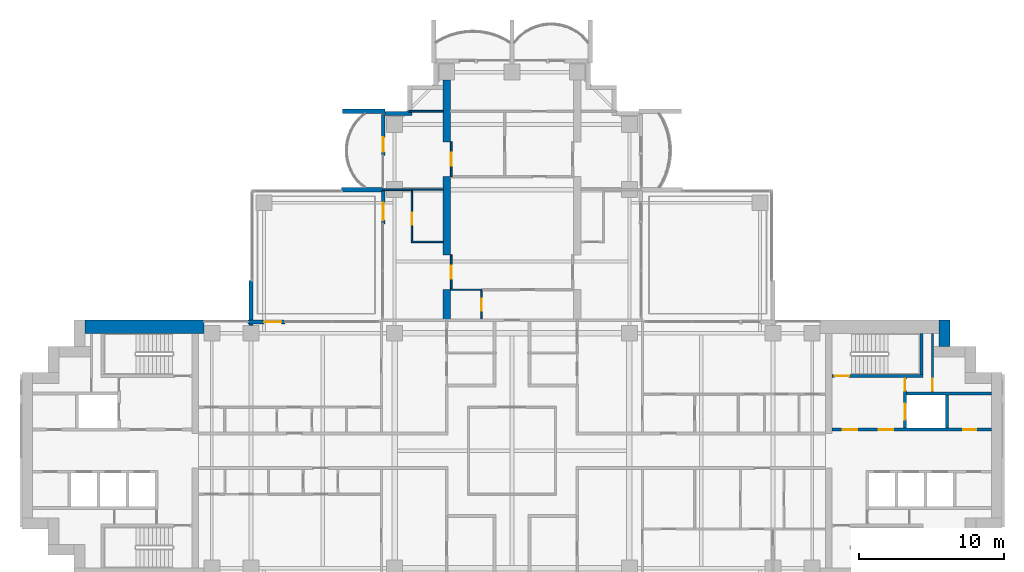
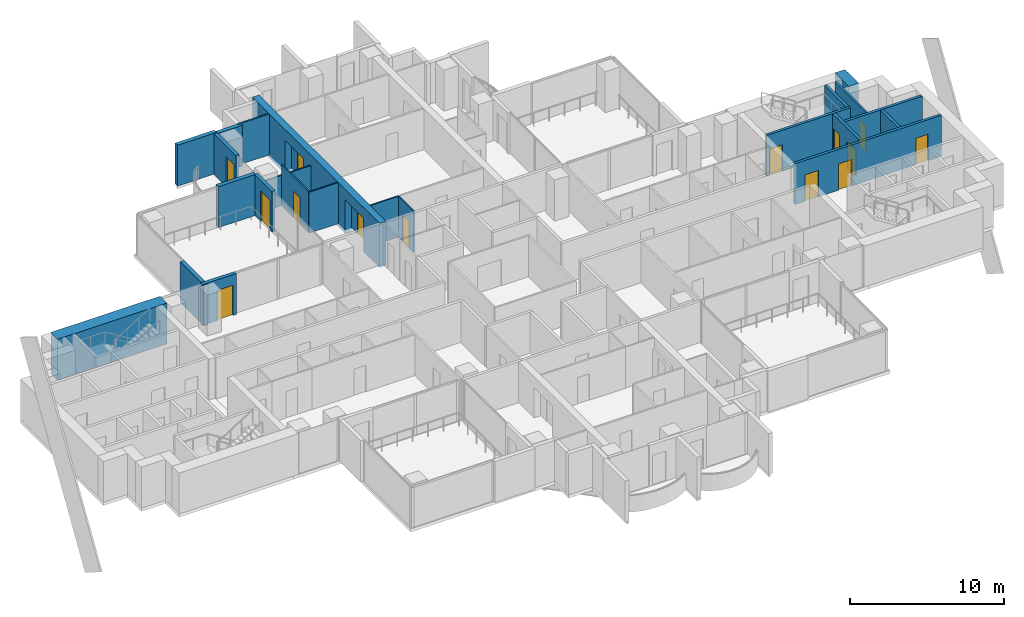
# One storey, part 13 of 19: 26 walls, 14 doors, 14 openings.
"""IFC4 building model written with IfcOpenShell, lengths in metres."""

import ifcopenshell
import ifcopenshell.guid

model = None  # the IFC model being written
_history = None  # IfcOwnerHistory: only IFC2X3 demands one
_inside = {}  # id of a spatial element -> (the spatial element, [elements in it])
_under = {}  # id of a project, library or spatial element -> (it, [spatial elements below it])
_declared = {}  # id of a project -> (the project, [libraries it declares])
_typed = {}  # id of a type object -> (the type object, [elements of that type])
_made_of = {}  # id of a material, layer set ... -> (it, [elements and type objects made of it])


def new_model(schema):
    """Start an empty IFC model of exactly this schema.

    Asked for "IFC4X3", IfcOpenShell would pick the latest addendum, in which some entities
    have other attributes; the version numbers below select the first issue.
    IFC2X3 requires an IfcOwnerHistory on every rooted entity: one is made here for all.
    """
    global model, _history
    if schema == "IFC4X3":
        model = ifcopenshell.file(schema_version=(4, 3, 0, 0))
    else:
        model = ifcopenshell.file(schema=schema)
    _inside.clear()
    _under.clear()
    _declared.clear()
    _typed.clear()
    _made_of.clear()
    _history = None
    if model.schema == "IFC2X3":
        org = make("IfcOrganization", Name="unknown")
        user = make(
            "IfcPersonAndOrganization",
            ThePerson=make("IfcPerson", FamilyName="unknown"),
            TheOrganization=org,
        )
        app = make(
            "IfcApplication",
            ApplicationDeveloper=org,
            Version="unknown",
            ApplicationFullName="unknown",
            ApplicationIdentifier="unknown",
        )
        _history = make(
            "IfcOwnerHistory",
            OwningUser=user,
            OwningApplication=app,
            ChangeAction="ADDED",
            CreationDate=0,
        )
    return model


def make(cls, **values):
    """One entity of the class cls with the attributes given. An attribute that is None is left unset."""
    return model.create_entity(
        cls, **{name: value for name, value in values.items() if value is not None}
    )


def rooted(cls, **values):
    """An entity with a GlobalId (a new one), such as an element, a storey or a relation."""
    return make(cls, GlobalId=ifcopenshell.guid.new(), OwnerHistory=_history, **values)


def si_unit(unit_type, name, prefix=None):
    """IfcSIUnit, for example si_unit("LENGTHUNIT", "METRE", prefix="MILLI")."""
    return make("IfcSIUnit", UnitType=unit_type, Prefix=prefix, Name=name)


def assignment(units):
    """IfcUnitAssignment: the units of a project."""
    return None if units is None else make("IfcUnitAssignment", Units=units)


def point(xyz):
    """IfcCartesianPoint."""
    return None if xyz is None else make("IfcCartesianPoint", Coordinates=xyz)


def direction(xyz):
    """IfcDirection."""
    return None if xyz is None else make("IfcDirection", DirectionRatios=xyz)


def frame(location, z_axis=None, x_axis=None):
    """IfcAxis2Placement3D, a coordinate frame: its origin and axes. An axis left out is left unset."""
    return make(
        "IfcAxis2Placement3D",
        Location=point(location),
        Axis=direction(z_axis),
        RefDirection=direction(x_axis),
    )


def frame_2d(location, x_axis=None):
    """IfcAxis2Placement2D, a coordinate frame in the plane: its origin and x axis."""
    return make(
        "IfcAxis2Placement2D", Location=point(location), RefDirection=direction(x_axis)
    )


def origin():
    """The frame at (0, 0, 0) with its axes left unset."""
    return frame((0.0, 0.0, 0.0))


def place(relative_to, where):
    """IfcLocalPlacement: puts the frame where relative to a parent placement (None: the world)."""
    return make(
        "IfcLocalPlacement", PlacementRelTo=relative_to, RelativePlacement=where
    )


def context(
    kind, dimensions, precision=None, world=None, true_north=None, identifier=None
):
    """IfcGeometricRepresentationContext, for example the 3D "Model" context."""
    return make(
        "IfcGeometricRepresentationContext",
        ContextIdentifier=identifier,
        ContextType=kind,
        CoordinateSpaceDimension=dimensions,
        Precision=precision,
        WorldCoordinateSystem=world,
        TrueNorth=true_north,
    )


def subcontext(parent, identifier, kind, view, scale=None):
    """IfcGeometricRepresentationSubContext, for example "Body" below "Model"."""
    return make(
        "IfcGeometricRepresentationSubContext",
        ContextIdentifier=identifier,
        ContextType=kind,
        ParentContext=parent,
        TargetScale=scale,
        TargetView=view,
    )


def project(units=None, contexts=None):
    """IfcProject with its units and contexts."""
    return rooted(
        "IfcProject",
        Name="project",
        RepresentationContexts=contexts,
        UnitsInContext=assignment(units),
    )


def spatial(cls, under=None, at=None, **own):
    """A site, building, storey or space (cls), placed at a placement, below another one or the project."""
    s = rooted(cls, ObjectPlacement=at, **own)
    if under is not None:
        _under.setdefault(under.id(), (under, []))[1].append(s)
    return s


def polyline(points):
    """IfcPolyline through the points."""
    return make("IfcPolyline", Points=[point(p) for p in points])


def profile(cls, at=None, kind="AREA", **sizes):
    """A parametric profile (cls). Its sizes go by their IFC names, for example OverallWidth=200.0."""
    return make(cls, ProfileType=kind, Position=at, **sizes)


def rectangle(**sizes):
    """IfcRectangleProfileDef."""
    return profile("IfcRectangleProfileDef", **sizes)


def outline(outer, holes=None, kind="AREA"):
    """IfcArbitraryClosedProfileDef: a profile drawn as a closed curve; with holes, ...WithVoids."""
    if holes is None:
        return make("IfcArbitraryClosedProfileDef", ProfileType=kind, OuterCurve=outer)
    return make(
        "IfcArbitraryProfileDefWithVoids",
        ProfileType=kind,
        OuterCurve=outer,
        InnerCurves=holes,
    )


def extrude(swept, where, along, depth):
    """IfcExtrudedAreaSolid: the profile swept, set in the frame where, extruded along a direction by depth."""
    return make(
        "IfcExtrudedAreaSolid",
        SweptArea=swept,
        Position=where,
        ExtrudedDirection=direction(along),
        Depth=depth,
    )


def shape(context_of_items, identifier, shape_type, items):
    """IfcShapeRepresentation: the items that make up one representation, for example the "Body"."""
    return make(
        "IfcShapeRepresentation",
        ContextOfItems=context_of_items,
        RepresentationIdentifier=identifier,
        RepresentationType=shape_type,
        Items=items,
    )


def material(Name=None, Category=None):
    """IfcMaterial."""
    return make("IfcMaterial", Name=Name, Category=Category)


def layer(
    of_material, thickness, ventilated=None, Name=None, Category=None, Priority=None
):
    """IfcMaterialLayer: one layer of a wall or slab, of a material (None: an air gap)."""
    return make(
        "IfcMaterialLayer",
        Material=of_material,
        LayerThickness=thickness,
        IsVentilated=ventilated,
        Name=Name,
        Category=Category,
        Priority=Priority,
    )


def layer_set(layers, Name=None):
    """IfcMaterialLayerSet."""
    return make("IfcMaterialLayerSet", MaterialLayers=layers, LayerSetName=Name)


def material_profile(
    of_material, cross_section, Name=None, Category=None, Priority=None
):
    """IfcMaterialProfile: a cross section and its material."""
    return make(
        "IfcMaterialProfile",
        Name=Name,
        Material=of_material,
        Profile=cross_section,
        Priority=Priority,
        Category=Category,
    )


def profile_set(profiles, Name=None, composite=None):
    """IfcMaterialProfileSet."""
    return make(
        "IfcMaterialProfileSet",
        Name=Name,
        MaterialProfiles=profiles,
        CompositeProfile=composite,
    )


def made_of(thing, what):
    """Note that an element or type object is made of a material, layer set ...; save() writes the relation."""
    if what is not None:
        _made_of.setdefault(what.id(), (what, []))[1].append(thing)
    return thing


def type_object(cls, material=None, **own):
    """A type object (cls), such as IfcWallType, which elements share."""
    return made_of(rooted(cls, **own), material)


def element(
    cls,
    number,
    at=None,
    inside=None,
    cuts=None,
    type_object=None,
    material=None,
    context=None,
    identifier="Body",
    shape_type=None,
    held_by="IfcProductDefinitionShape",
    body=None,
    shapes=None,
    **own,
):
    """One element of the class cls, such as IfcWall. Its Tag is "e" and its number.

    at: its placement. inside: the storey or other place that contains it. cuts: it is an
    opening in that element (IfcRelVoidsElement). A single representation is given by context,
    identifier, shape_type and body (its items); several are given by shapes. held_by: the class
    of the entity that holds the representations. save() writes the other relations.
    """
    e = rooted(cls, Tag="e%d" % number, ObjectPlacement=at, **own)
    if body is not None:
        shapes = [shape(context, identifier, shape_type, body)]
    if shapes is not None:
        e.Representation = make(held_by, Representations=shapes)
    if inside is not None:
        _inside.setdefault(inside.id(), (inside, []))[1].append(e)
    if cuts is not None:
        rooted(
            "IfcRelVoidsElement", RelatingBuildingElement=cuts, RelatedOpeningElement=e
        )
    if type_object is not None:
        _typed.setdefault(type_object.id(), (type_object, []))[1].append(e)
    return made_of(e, material)


def fill(opening, filler):
    """IfcRelFillsElement: the door or window that sits in an opening."""
    return rooted(
        "IfcRelFillsElement",
        RelatingOpeningElement=opening,
        RelatedBuildingElement=filler,
    )


def aggregate(whole, parts):
    """IfcRelAggregates: a whole, such as a stair, and the parts it consists of."""
    return rooted("IfcRelAggregates", RelatingObject=whole, RelatedObjects=parts)


def save(model, path):
    """Write the relations noted so far, then the file.

    IfcRelAggregates (storeys below a building ...), IfcRelContainedInSpatialStructure (elements
    in a storey), IfcRelDefinesByType, IfcRelAssociatesMaterial and IfcRelDeclares: one each for
    every whole, place, type object, material and project.
    """
    for whole, parts in _under.values():
        aggregate(whole, parts)
    for where, things in _inside.values():
        rooted(
            "IfcRelContainedInSpatialStructure",
            RelatedElements=things,
            RelatingStructure=where,
        )
    for kind, things in _typed.values():
        rooted("IfcRelDefinesByType", RelatedObjects=things, RelatingType=kind)
    for what, things in _made_of.values():
        rooted("IfcRelAssociatesMaterial", RelatedObjects=things, RelatingMaterial=what)
    for by, libraries in _declared.values():
        rooted("IfcRelDeclares", RelatingContext=by, RelatedDefinitions=libraries)
    model.write(path)


model = new_model("IFC4")

# Units and contexts
model_context = context("Model", 3, precision=1e-05, world=origin(), true_north=direction((0.0, 1.0)))
body_context = subcontext(model_context, "Body", "Model", "MODEL_VIEW")
ifc_project = project(units=[si_unit("LENGTHUNIT", "METRE"), si_unit("AREAUNIT", "SQUARE_METRE"), si_unit("VOLUMEUNIT", "CUBIC_METRE"), si_unit("PLANEANGLEUNIT", "RADIAN"), si_unit("MASSUNIT", "GRAM", prefix="KILO")], contexts=[model_context])

# Site, building, storey
site_placement = place(None, origin())
site = spatial("IfcSite", under=ifc_project, at=site_placement, CompositionType="ELEMENT")
building_placement = place(site_placement, origin())
building = spatial("IfcBuilding", under=site, at=building_placement, Name="Perihelion Cross Residences", CompositionType="ELEMENT")
storey_placement = place(building_placement, frame((0.0, 0.0, 109.39990234375)))
storey = spatial("IfcBuildingStorey", under=building, at=storey_placement, Name="L25", CompositionType="ELEMENT", Elevation=109.39990234375)

# Wall, opening, door
ifc_material_1 = material(Name="Concrete C30/37, bronze-clad", Category="concrete")
ifc_layer_1 = layer(ifc_material_1, 0.25)
ifc_layer_set_1 = layer_set([ifc_layer_1], Name="Bronze-clad pier wall 250")
wall_type_1 = type_object("IfcWallType", Name="Bronze-clad pier wall 250", PredefinedType="SOLIDWALL", material=ifc_layer_set_1)
wall_1_placement = place(storey_placement, frame((-8.875, 23.199951171875, 0.0), z_axis=(0.0, 0.0, 1.0), x_axis=(0.0, -1.0, 0.0)))
wall_1 = element("IfcWall", 1, at=wall_1_placement, inside=storey, type_object=wall_type_1, Name="Wall FW1 L25 north side west bay 1 pier", PredefinedType="SOLIDWALL", context=body_context, shape_type="SweptSolid", body=[
    extrude(rectangle(XDim=2.849853515625, YDim=0.25, at=frame_2d((1.4248046875, 0.0))), origin(), (0.0, 0.0, 1.0), 3.25),
])
opening_1_placement = place(wall_1_placement, frame((1.60009765625, 0.0, 0.0)))
opening_1 = element("IfcOpeningElement", 2, at=opening_1_placement, cuts=wall_1, Name="Opening L25.E06", PredefinedType="OPENING", context=body_context, shape_type="SweptSolid", body=[
    extrude(rectangle(XDim=1.0, YDim=2.39990234375, at=frame_2d((0.5, 1.199951171875))), frame((0.0, 0.135009765625, 0.0), z_axis=(0.0, -1.0, 0.0), x_axis=(1.0, 0.0, 0.0)), (0.0, 0.0, 1.0), 0.27001953125),
])
ifc_material_2 = material(Name="Bronze anodised aluminium, glazed", Category="aluminium")
door_type_1 = type_object("IfcDoorType", Name="Balcony door 1000 x 2400", OperationType="NOTDEFINED", PredefinedType="DOOR", material=ifc_material_2)
door_1_placement = place(opening_1_placement, origin())
door_1 = element("IfcDoor", 3, at=door_1_placement, inside=storey, type_object=door_type_1, Name="Door L25.E06 north side west bay 1", OperationType="SINGLE_SWING_LEFT", OverallHeight=2.39990234375, OverallWidth=1.0, PredefinedType="DOOR", context=body_context, shape_type="SweptSolid", body=[
    extrude(rectangle(XDim=1.0, YDim=2.39990234375, at=frame_2d((0.5, 1.199951171875))), frame((0.0, 0.02490234375, 0.0), z_axis=(0.0, -1.0, 0.0), x_axis=(1.0, 0.0, 0.0)), (0.0, 0.0, 1.0), 0.050048828125),
])
fill(opening_1, door_1)

wall_2_placement = place(storey_placement, frame((-8.875, 17.93994140625, 0.0), z_axis=(0.0, 0.0, 1.0), x_axis=(0.0, -1.0, 0.0)))
wall_2 = element("IfcWall", 4, at=wall_2_placement, inside=storey, type_object=wall_type_1, Name="Wall FW1 L25 north side west bay 2 pier", PredefinedType="SOLIDWALL", context=body_context, shape_type="SweptSolid", body=[
    extrude(rectangle(XDim=2.2900390625, YDim=0.25, at=frame_2d((1.14501953125, 0.0))), origin(), (0.0, 0.0, 1.0), 3.25),
])
opening_2_placement = place(wall_2_placement, frame((0.840087890625, 0.0, 0.0)))
opening_2 = element("IfcOpeningElement", 5, at=opening_2_placement, cuts=wall_2, Name="Opening L25.E07", PredefinedType="OPENING", context=body_context, shape_type="SweptSolid", body=[
    extrude(rectangle(XDim=1.199951171875, YDim=2.39990234375, at=frame_2d((0.60009765625, 1.199951171875))), frame((0.0, 0.135009765625, 0.0), z_axis=(0.0, -1.0, 0.0), x_axis=(1.0, 0.0, 0.0)), (0.0, 0.0, 1.0), 0.27001953125),
])
ifc_material_3 = material(Name="Bronze anodised aluminium, glazed", Category="aluminium")
door_type_2 = type_object("IfcDoorType", Name="Balcony door 1200 x 2400", OperationType="NOTDEFINED", PredefinedType="DOOR", material=ifc_material_3)
door_2_placement = place(opening_2_placement, origin())
door_2 = element("IfcDoor", 6, at=door_2_placement, inside=storey, type_object=door_type_2, Name="Door L25.E07 north side west bay 2", OperationType="SINGLE_SWING_RIGHT", OverallHeight=2.39990234375, OverallWidth=1.199951171875, PredefinedType="DOOR", context=body_context, shape_type="SweptSolid", body=[
    extrude(rectangle(XDim=1.199951171875, YDim=2.39990234375, at=frame_2d((0.60009765625, 1.199951171875))), frame((0.0, 0.02490234375, 0.0), z_axis=(0.0, -1.0, 0.0), x_axis=(1.0, 0.0, 0.0)), (0.0, 0.0, 1.0), 0.050048828125),
])
fill(opening_2, door_2)

wall_3_placement = place(storey_placement, frame((-15.64990234375, 8.875, 0.0), z_axis=(0.0, 0.0, 1.0), x_axis=(-1.0, 0.0, 0.0)))
wall_3 = element("IfcWall", 7, at=wall_3_placement, inside=storey, type_object=wall_type_1, Name="Wall FW1 L25 west side north bay 1 pier", PredefinedType="SOLIDWALL", context=body_context, shape_type="SweptSolid", body=[
    extrude(rectangle(XDim=2.550048828125, YDim=0.25, at=frame_2d((1.27490234375, 0.0))), origin(), (0.0, 0.0, 1.0), 3.25),
])
opening_3_placement = place(wall_3_placement, frame((0.25, 0.0, 0.0)))
opening_3 = element("IfcOpeningElement", 8, at=opening_3_placement, cuts=wall_3, Name="Opening L25.E08", PredefinedType="OPENING", context=body_context, shape_type="SweptSolid", body=[
    extrude(rectangle(XDim=1.199951171875, YDim=2.39990234375, at=frame_2d((0.60009765625, 1.199951171875))), frame((0.0, 0.135009765625, 0.0), z_axis=(0.0, -1.0, 0.0), x_axis=(1.0, 0.0, 0.0)), (0.0, 0.0, 1.0), 0.27001953125),
])
door_3_placement = place(opening_3_placement, origin())
door_3 = element("IfcDoor", 9, at=door_3_placement, inside=storey, type_object=door_type_2, Name="Door L25.E08 west side north bay 1", OperationType="SINGLE_SWING_LEFT", OverallHeight=2.39990234375, OverallWidth=1.199951171875, PredefinedType="DOOR", context=body_context, shape_type="SweptSolid", body=[
    extrude(rectangle(XDim=1.199951171875, YDim=2.39990234375, at=frame_2d((0.60009765625, 1.199951171875))), frame((0.0, 0.02490234375, 0.0), z_axis=(0.0, -1.0, 0.0), x_axis=(1.0, 0.0, 0.0)), (0.0, 0.0, 1.0), 0.050048828125),
])
fill(opening_3, door_3)

# Walls
ifc_material_4 = material(Name="Concrete C30/37, bronze-clad", Category="concrete")
ifc_layer_2 = layer(ifc_material_4, 0.300048828125)
ifc_layer_set_2 = layer_set([ifc_layer_2], Name="Bronze-clad serration wall 300")
wall_type_2 = type_object("IfcWallType", Name="Bronze-clad serration wall 300", PredefinedType="SOLIDWALL", material=ifc_layer_set_2)
wall_4_placement = place(storey_placement, frame((-6.89990234375, 23.25, 0.0), z_axis=(0.0, 0.0, 1.0), x_axis=(-1.0, 0.0, 0.0)))
element("IfcWall", 10, at=wall_4_placement, inside=storey, type_object=wall_type_2, Name="Wall SR1 L25 north corner north-west 4", PredefinedType="SOLIDWALL", context=body_context, shape_type="SweptSolid", body=[
    extrude(rectangle(XDim=1.85009765625, YDim=0.300048828125, at=frame_2d((0.925048828125, 0.0))), origin(), (0.0, 0.0, 1.0), 3.25),
])
ifc_material_5 = material(Name="Concrete C60/75", Category="concrete")
ifc_layer_3 = layer(ifc_material_5, 0.75)
ifc_layer_set_3 = layer_set([ifc_layer_3], Name="Core wall, outer 750")
wall_type_3 = type_object("IfcWallType", Name="Core wall, outer 750", PredefinedType="SHEAR", material=ifc_layer_set_3)
wall_5_placement = place(storey_placement, frame((29.824951171875, 7.199951171875, 0.0), z_axis=(0.0, 0.0, 1.0), x_axis=(0.0, 1.0, 0.0)))
element("IfcWall", 11, at=wall_5_placement, inside=storey, type_object=wall_type_3, Name="East core core wall, outer", PredefinedType="SHEAR", context=body_context, shape_type="SweptSolid", body=[
    extrude(rectangle(XDim=1.800048828125, YDim=0.75, at=frame_2d((0.89990234375, 0.0))), origin(), (0.0, 0.0, 1.0), 3.25),
])
ifc_material_6 = material(Name="Concrete C60/75", Category="concrete")
ifc_layer_4 = layer(ifc_material_6, 0.89990234375)
ifc_layer_set_4 = layer_set([ifc_layer_4], Name="Core wall, outer 900")
wall_type_4 = type_object("IfcWallType", Name="Core wall, outer 900", PredefinedType="SHEAR", material=ifc_layer_set_4)
wall_6_placement = place(storey_placement, frame((-29.449951171875, 8.550048828125, 0.0), z_axis=(0.0, 0.0, 1.0), x_axis=(1.0, 0.0, 0.0)))
element("IfcWall", 12, at=wall_6_placement, inside=storey, type_object=wall_type_4, Name="West core core wall, outer", PredefinedType="SHEAR", context=body_context, shape_type="SweptSolid", body=[
    extrude(rectangle(XDim=8.199951171875, YDim=0.89990234375, at=frame_2d((4.10009765625, 0.0))), origin(), (0.0, 0.0, 1.0), 3.25),
])

# Wall, opening, door
ifc_material_7 = material(Name="Plasterboard partition")
ifc_layer_5 = layer(ifc_material_7, 0.1201171875)
ifc_layer_set_5 = layer_set([ifc_layer_5], Name="Infill panel 120")
wall_type_5 = type_object("IfcWallType", Name="Infill panel 120", PredefinedType="PARTITIONING", material=ifc_layer_set_5)
wall_7_placement = place(storey_placement, frame((-4.18994140625, 11.10009765625, 0.0), z_axis=(0.0, 0.0, 1.0), x_axis=(0.0, 1.0, 0.0)))
wall_7 = element("IfcWall", 13, at=wall_7_placement, inside=storey, type_object=wall_type_5, Name="Partition L25 WI03", PredefinedType="PARTITIONING", context=body_context, shape_type="SweptSolid", body=[
    extrude(rectangle(XDim=2.39990234375, YDim=0.1201171875, at=frame_2d((1.199951171875, 0.0))), origin(), (0.0, 0.0, 1.0), 2.400146484375),
])
opening_4_placement = place(wall_7_placement, frame((0.75, 0.0, 0.0)))
opening_4 = element("IfcOpeningElement", 14, at=opening_4_placement, cuts=wall_7, Name="Opening L25.A52", PredefinedType="OPENING", context=body_context, shape_type="SweptSolid", body=[
    extrude(rectangle(XDim=0.89990234375, YDim=2.10009765625, at=frame_2d((0.449951171875, 1.050048828125))), frame((0.0, 0.070068359375, 0.0), z_axis=(0.0, -1.0, 0.0), x_axis=(1.0, 0.0, 0.0)), (0.0, 0.0, 1.0), 0.14013671875),
])
ifc_material_8 = material(Name="Timber door leaf", Category="wood")
door_type_3 = type_object("IfcDoorType", Name="Interior room door 900 x 2100", OperationType="SINGLE_SWING_LEFT", PredefinedType="DOOR", material=ifc_material_8)
door_4_placement = place(opening_4_placement, origin())
door_4 = element("IfcDoor", 15, at=door_4_placement, inside=storey, type_object=door_type_3, Name="Door L25.A52", OperationType="SINGLE_SWING_LEFT", OverallHeight=2.10009765625, OverallWidth=0.89990234375, PredefinedType="DOOR", context=body_context, shape_type="SweptSolid", body=[
    extrude(rectangle(XDim=0.89990234375, YDim=2.10009765625, at=frame_2d((0.449951171875, 1.050048828125))), frame((0.0, 0.02490234375, 0.0), z_axis=(0.0, -1.0, 0.0), x_axis=(1.0, 0.0, 0.0)), (0.0, 0.0, 1.0), 0.050048828125),
])
fill(opening_4, door_4)

wall_8_placement = place(storey_placement, frame((-4.18994140625, 18.89990234375, 0.0), z_axis=(0.0, 0.0, 1.0), x_axis=(0.0, 1.0, 0.0)))
wall_8 = element("IfcWall", 16, at=wall_8_placement, inside=storey, type_object=wall_type_5, Name="Partition L25 WI04", PredefinedType="PARTITIONING", context=body_context, shape_type="SweptSolid", body=[
    extrude(rectangle(XDim=2.400146484375, YDim=0.1201171875, at=frame_2d((1.2001953125, 0.0))), origin(), (0.0, 0.0, 1.0), 2.400146484375),
])
opening_5_placement = place(wall_8_placement, frame((0.75, 0.0, 0.0)))
opening_5 = element("IfcOpeningElement", 17, at=opening_5_placement, cuts=wall_8, Name="Opening L25.A53", PredefinedType="OPENING", context=body_context, shape_type="SweptSolid", body=[
    extrude(rectangle(XDim=0.89990234375, YDim=2.10009765625, at=frame_2d((0.449951171875, 1.050048828125))), frame((0.0, 0.070068359375, 0.0), z_axis=(0.0, -1.0, 0.0), x_axis=(1.0, 0.0, 0.0)), (0.0, 0.0, 1.0), 0.14013671875),
])
door_5_placement = place(opening_5_placement, origin())
door_5 = element("IfcDoor", 18, at=door_5_placement, inside=storey, type_object=door_type_3, Name="Door L25.A53", OperationType="SINGLE_SWING_RIGHT", OverallHeight=2.10009765625, OverallWidth=0.89990234375, PredefinedType="DOOR", context=body_context, shape_type="SweptSolid", body=[
    extrude(rectangle(XDim=0.89990234375, YDim=2.10009765625, at=frame_2d((0.449951171875, 1.050048828125))), frame((0.0, 0.02490234375, 0.0), z_axis=(0.0, -1.0, 0.0), x_axis=(1.0, 0.0, 0.0)), (0.0, 0.0, 1.0), 0.050048828125),
])
fill(opening_5, door_5)

# Walls
ifc_material_9 = material(Name="Plasterboard partition")
ifc_layer_6 = layer(ifc_material_9, 0.1201171875)
ifc_layer_set_6 = layer_set([ifc_layer_6], Name="Partition wall 120")
wall_type_6 = type_object("IfcWallType", Name="Partition wall 120", PredefinedType="PARTITIONING", material=ifc_layer_set_6)
wall_9_placement = place(storey_placement, frame((-8.919921875, 18.0, 0.0), z_axis=(0.0, 0.0, 1.0), x_axis=(1.0, 0.0, 0.0)))
element("IfcWall", 19, at=wall_9_placement, inside=storey, type_object=wall_type_6, Name="Partition L25 W075", PredefinedType="PARTITIONING", context=body_context, shape_type="SweptSolid", body=[
    extrude(rectangle(XDim=2.02001953125, YDim=0.1201171875, at=frame_2d((1.010009765625, 0.0))), origin(), (0.0, 0.0, 1.0), 2.4140625),
])
wall_10_placement = place(storey_placement, frame((-7.1201171875, 23.39990234375, 0.0), z_axis=(0.0, 0.0, 1.0), x_axis=(1.0, 0.0, 0.0)))
element("IfcWall", 20, at=wall_10_placement, inside=storey, type_object=wall_type_6, Name="Partition L25 W077", PredefinedType="PARTITIONING", context=body_context, shape_type="SweptSolid", body=[
    extrude(rectangle(XDim=2.3701171875, YDim=0.1201171875, at=frame_2d((1.18505859375, 0.0))), origin(), (0.0, 0.0, 1.0), 3.25),
])
ifc_material_10 = material(Name="Precast concrete C50/60", Category="concrete")
ifc_layer_7 = layer(ifc_material_10, 0.300048828125)
ifc_layer_set_7 = layer_set([ifc_layer_7], Name="Precast concrete C50/60 blade wall 300")
wall_type_7 = type_object("IfcWallType", Name="Precast concrete C50/60 blade wall 300", PredefinedType="SOLIDWALL", material=ifc_layer_set_7)
wall_11_placement = place(storey_placement, frame((-18.0, 8.64990234375, 0.0), z_axis=(0.0, 0.0, 1.0), x_axis=(0.0, 1.0, 0.0)))
element("IfcWall", 21, at=wall_11_placement, inside=storey, type_object=wall_type_7, Name="Wall BL1 L25 no. 2", PredefinedType="SOLIDWALL", context=body_context, shape_type="SweptSolid", body=[
    extrude(rectangle(XDim=3.090087890625, YDim=0.300048828125, at=frame_2d((1.544921875, 0.0))), origin(), (0.0, 0.0, 1.0), 3.25),
])
wall_12_placement = place(storey_placement, frame((-8.919921875, 18.0, 0.0), z_axis=(0.0, 0.0, 1.0), x_axis=(-1.0, 0.0, 0.0)))
element("IfcWall", 22, at=wall_12_placement, inside=storey, type_object=wall_type_7, Name="Wall BL1 L25 no. 6", PredefinedType="SOLIDWALL", context=body_context, shape_type="SweptSolid", body=[
    extrude(rectangle(XDim=2.820068359375, YDim=0.300048828125, at=frame_2d((1.41015625, 0.0))), origin(), (0.0, 0.0, 1.0), 3.25),
])
wall_13_placement = place(storey_placement, frame((-8.75, 23.39990234375, 0.0), z_axis=(0.0, 0.0, 1.0), x_axis=(-1.0, 0.0, 0.0)))
element("IfcWall", 23, at=wall_13_placement, inside=storey, type_object=wall_type_7, Name="Wall BL1 L25 no. 7", PredefinedType="SOLIDWALL", context=body_context, shape_type="SweptSolid", body=[
    extrude(rectangle(XDim=2.949951171875, YDim=0.300048828125, at=frame_2d((1.47509765625, 0.0))), origin(), (0.0, 0.0, 1.0), 3.25),
])

# Wall, opening, door
ifc_material_11 = material(Name="Fire-rated board on steel stud", Category="steel")
ifc_layer_8 = layer(ifc_material_11, 0.14990234375)
ifc_layer_set_8 = layer_set([ifc_layer_8], Name="Riser wall 150")
wall_type_8 = type_object("IfcWallType", Name="Riser wall 150", PredefinedType="PARTITIONING", material=ifc_layer_set_8)
wall_14_placement = place(storey_placement, frame((29.0, 4.050048828125, 0.0), z_axis=(0.0, 0.0, 1.0), x_axis=(0.0, 1.0, 0.0)))
wall_14 = element("IfcWall", 24, at=wall_14_placement, inside=storey, type_object=wall_type_8, Name="East core riser wall", PredefinedType="PARTITIONING", context=body_context, shape_type="SweptSolid", body=[
    extrude(rectangle(XDim=4.050048828125, YDim=0.14990234375, at=frame_2d((2.02490234375, 0.0))), origin(), (0.0, 0.0, 1.0), 3.25),
])
opening_6_placement = place(wall_14_placement, frame((0.10009765625, 0.0, 0.0)))
opening_6 = element("IfcOpeningElement", 25, at=opening_6_placement, cuts=wall_14, Name="Opening L25.C12", PredefinedType="OPENING", context=body_context, shape_type="SweptSolid", body=[
    extrude(rectangle(XDim=0.800048828125, YDim=2.10009765625, at=frame_2d((0.39990234375, 1.050048828125))), frame((0.0, 0.0849609375, 0.0), z_axis=(0.0, -1.0, 0.0), x_axis=(1.0, 0.0, 0.0)), (0.0, 0.0, 1.0), 0.169921875),
])
ifc_material_12 = material(Name="Steel, powder coated", Category="steel")
door_type_4 = type_object("IfcDoorType", Name="Riser door 800", OperationType="SINGLE_SWING_LEFT", PredefinedType="DOOR", material=ifc_material_12)
door_6_placement = place(opening_6_placement, origin())
door_6 = element("IfcDoor", 26, at=door_6_placement, inside=storey, type_object=door_type_4, Name="East core riser door", OperationType="SINGLE_SWING_LEFT", OverallHeight=2.10009765625, OverallWidth=0.800048828125, PredefinedType="DOOR", context=body_context, shape_type="SweptSolid", body=[
    extrude(rectangle(XDim=0.800048828125, YDim=2.10009765625, at=frame_2d((0.39990234375, 1.050048828125))), frame((0.0, 0.02490234375, 0.0), z_axis=(0.0, -1.0, 0.0), x_axis=(1.0, 0.0, 0.0)), (0.0, 0.0, 1.0), 0.050048828125),
])
fill(opening_6, door_6)

# Wall, openings, doors
ifc_material_13 = material(Name="Concrete C50/60", Category="concrete")
ifc_layer_9 = layer(ifc_material_13, 0.199951171875)
ifc_layer_set_9 = layer_set([ifc_layer_9], Name="Shaft wall 200")
wall_type_9 = type_object("IfcWallType", Name="Shaft wall 200", PredefinedType="SOLIDWALL", material=ifc_layer_set_9)
wall_15_placement = place(storey_placement, frame((22.050048828125, 1.449951171875, 0.0), z_axis=(0.0, 0.0, 1.0), x_axis=(1.0, 0.0, 0.0)))
wall_15 = element("IfcWall", 27, at=wall_15_placement, inside=storey, type_object=wall_type_9, Name="East core shaft wall", PredefinedType="SOLIDWALL", context=body_context, shape_type="SweptSolid", body=[
    extrude(rectangle(XDim=11.0, YDim=0.199951171875, at=frame_2d((5.5, 0.0))), origin(), (0.0, 0.0, 1.0), 3.25),
])
opening_7_placement = place(wall_15_placement, frame((0.75, 0.0, 0.0)))
opening_7 = element("IfcOpeningElement", 28, at=opening_7_placement, cuts=wall_15, Name="Opening L25.C07", PredefinedType="OPENING", context=body_context, shape_type="SweptSolid", body=[
    extrude(rectangle(XDim=1.0, YDim=2.10009765625, at=frame_2d((0.5, 1.050048828125))), frame((0.0, 0.10986328125, 0.0), z_axis=(0.0, -1.0, 0.0), x_axis=(1.0, 0.0, 0.0)), (0.0, 0.0, 1.0), 0.219970703125),
])
opening_8_placement = place(wall_15_placement, frame((3.25, 0.0, 0.0)))
opening_8 = element("IfcOpeningElement", 29, at=opening_8_placement, cuts=wall_15, Name="Opening L25.C09", PredefinedType="OPENING", context=body_context, shape_type="SweptSolid", body=[
    extrude(rectangle(XDim=1.0, YDim=2.10009765625, at=frame_2d((0.5, 1.050048828125))), frame((0.0, 0.10986328125, 0.0), z_axis=(0.0, -1.0, 0.0), x_axis=(1.0, 0.0, 0.0)), (0.0, 0.0, 1.0), 0.219970703125),
])
opening_9_placement = place(wall_15_placement, frame((9.074951171875, 0.0, 0.0)))
opening_9 = element("IfcOpeningElement", 30, at=opening_9_placement, cuts=wall_15, Name="Opening L25.C13", PredefinedType="OPENING", context=body_context, shape_type="SweptSolid", body=[
    extrude(rectangle(XDim=0.89990234375, YDim=2.10009765625, at=frame_2d((0.449951171875, 1.050048828125))), frame((0.0, 0.10986328125, 0.0), z_axis=(0.0, -1.0, 0.0), x_axis=(1.0, 0.0, 0.0)), (0.0, 0.0, 1.0), 0.219970703125),
])
ifc_material_14 = material(Name="Steel, powder coated", Category="steel")
door_type_5 = type_object("IfcDoorType", Name="Lobby door 1000", OperationType="SINGLE_SWING_LEFT", PredefinedType="DOOR", material=ifc_material_14)
door_7_placement = place(opening_7_placement, origin())
door_7 = element("IfcDoor", 31, at=door_7_placement, inside=storey, type_object=door_type_5, Name="East core firefighting lobby door", OperationType="SINGLE_SWING_LEFT", OverallHeight=2.10009765625, OverallWidth=1.0, PredefinedType="DOOR", context=body_context, shape_type="SweptSolid", body=[
    extrude(rectangle(XDim=1.0, YDim=2.10009765625, at=frame_2d((0.5, 1.050048828125))), frame((0.0, 0.02490234375, 0.0), z_axis=(0.0, -1.0, 0.0), x_axis=(1.0, 0.0, 0.0)), (0.0, 0.0, 1.0), 0.050048828125),
])
fill(opening_7, door_7)
door_8_placement = place(opening_8_placement, origin())
door_8 = element("IfcDoor", 32, at=door_8_placement, inside=storey, type_object=door_type_5, Name="East core firefighting lobby door", OperationType="SINGLE_SWING_LEFT", OverallHeight=2.10009765625, OverallWidth=1.0, PredefinedType="DOOR", context=body_context, shape_type="SweptSolid", body=[
    extrude(rectangle(XDim=1.0, YDim=2.10009765625, at=frame_2d((0.5, 1.050048828125))), frame((0.0, 0.02490234375, 0.0), z_axis=(0.0, -1.0, 0.0), x_axis=(1.0, 0.0, 0.0)), (0.0, 0.0, 1.0), 0.050048828125),
])
fill(opening_8, door_8)
ifc_material_15 = material(Name="Steel, powder coated", Category="steel")
door_type_6 = type_object("IfcDoorType", Name="Service room door 900", OperationType="SINGLE_SWING_LEFT", PredefinedType="DOOR", material=ifc_material_15)
door_9_placement = place(opening_9_placement, origin())
door_9 = element("IfcDoor", 33, at=door_9_placement, inside=storey, type_object=door_type_6, Name="East core service room door", OperationType="SINGLE_SWING_LEFT", OverallHeight=2.10009765625, OverallWidth=0.89990234375, PredefinedType="DOOR", context=body_context, shape_type="SweptSolid", body=[
    extrude(rectangle(XDim=0.89990234375, YDim=2.10009765625, at=frame_2d((0.449951171875, 1.050048828125))), frame((0.0, 0.02490234375, 0.0), z_axis=(0.0, -1.0, 0.0), x_axis=(1.0, 0.0, 0.0)), (0.0, 0.0, 1.0), 0.050048828125),
])
fill(opening_9, door_9)

# Wall
wall_16_placement = place(storey_placement, frame((27.199951171875, 3.949951171875, 0.0), z_axis=(0.0, 0.0, 1.0), x_axis=(1.0, 0.0, 0.0)))
element("IfcWall", 34, at=wall_16_placement, inside=storey, type_object=wall_type_9, Name="East core shaft wall", PredefinedType="SOLIDWALL", context=body_context, shape_type="SweptSolid", body=[
    extrude(rectangle(XDim=5.85009765625, YDim=0.199951171875, at=frame_2d((2.925048828125, 0.0))), origin(), (0.0, 0.0, 1.0), 3.25),
])

# Wall, openings, doors
wall_17_placement = place(storey_placement, frame((27.10009765625, 1.550048828125, 0.0), z_axis=(0.0, 0.0, 1.0), x_axis=(0.0, 1.0, 0.0)))
wall_17 = element("IfcWall", 35, at=wall_17_placement, inside=storey, type_object=wall_type_9, Name="East core shaft wall", PredefinedType="SOLIDWALL", context=body_context, shape_type="SweptSolid", body=[
    extrude(rectangle(XDim=3.5, YDim=0.199951171875, at=frame_2d((1.75, 0.0))), origin(), (0.0, 0.0, 1.0), 3.25),
])
opening_10_placement = place(wall_17_placement, frame((0.60009765625, 0.0, 0.0)))
opening_10 = element("IfcOpeningElement", 36, at=opening_10_placement, cuts=wall_17, Name="Opening L25.C02", PredefinedType="OPENING", context=body_context, shape_type="SweptSolid", body=[
    extrude(rectangle(XDim=1.10009765625, YDim=2.10009765625, at=frame_2d((0.550048828125, 1.050048828125))), frame((0.0, 0.10986328125, 0.0), z_axis=(0.0, -1.0, 0.0), x_axis=(1.0, 0.0, 0.0)), (0.0, 0.0, 1.0), 0.219970703125),
])
opening_11_placement = place(wall_17_placement, frame((2.60009765625, 0.0, 0.0)))
opening_11 = element("IfcOpeningElement", 37, at=opening_11_placement, cuts=wall_17, Name="Opening L25.C10", PredefinedType="OPENING", context=body_context, shape_type="SweptSolid", body=[
    extrude(rectangle(XDim=0.800048828125, YDim=2.10009765625, at=frame_2d((0.39990234375, 1.050048828125))), frame((0.0, 0.10986328125, 0.0), z_axis=(0.0, -1.0, 0.0), x_axis=(1.0, 0.0, 0.0)), (0.0, 0.0, 1.0), 0.219970703125),
])
ifc_material_16 = material(Name="Stainless steel", Category="steel")
door_type_7 = type_object("IfcDoorType", Name="Landing door, firefighting lift 1100", OperationType="DOUBLE_DOOR_SLIDING", PredefinedType="DOOR", material=ifc_material_16)
door_10_placement = place(opening_10_placement, origin())
door_10 = element("IfcDoor", 38, at=door_10_placement, inside=storey, type_object=door_type_7, Name="Landing door, East core firefighting and service lift", OperationType="DOUBLE_DOOR_SLIDING", OverallHeight=2.10009765625, OverallWidth=1.10009765625, PredefinedType="DOOR", context=body_context, shape_type="SweptSolid", body=[
    extrude(rectangle(XDim=1.10009765625, YDim=2.10009765625, at=frame_2d((0.550048828125, 1.050048828125))), frame((0.0, 0.02490234375, 0.0), z_axis=(0.0, -1.0, 0.0), x_axis=(1.0, 0.0, 0.0)), (0.0, 0.0, 1.0), 0.050048828125),
])
fill(opening_10, door_10)
door_11_placement = place(opening_11_placement, origin())
door_11 = element("IfcDoor", 39, at=door_11_placement, inside=storey, type_object=door_type_4, Name="East core riser door", OperationType="SINGLE_SWING_LEFT", OverallHeight=2.10009765625, OverallWidth=0.800048828125, PredefinedType="DOOR", context=body_context, shape_type="SweptSolid", body=[
    extrude(rectangle(XDim=0.800048828125, YDim=2.10009765625, at=frame_2d((0.39990234375, 1.050048828125))), frame((0.0, 0.02490234375, 0.0), z_axis=(0.0, -1.0, 0.0), x_axis=(1.0, 0.0, 0.0)), (0.0, 0.0, 1.0), 0.050048828125),
])
fill(opening_11, door_11)

# Wall
wall_18_placement = place(storey_placement, frame((30.0, 1.550048828125, 0.0), z_axis=(0.0, 0.0, 1.0), x_axis=(0.0, 1.0, 0.0)))
element("IfcWall", 40, at=wall_18_placement, inside=storey, type_object=wall_type_9, Name="East core shaft wall", PredefinedType="SOLIDWALL", context=body_context, shape_type="SweptSolid", body=[
    extrude(rectangle(XDim=2.300048828125, YDim=0.199951171875, at=frame_2d((1.14990234375, 0.0))), origin(), (0.0, 0.0, 1.0), 3.25),
])

# Wall, opening, door
ifc_material_17 = material(Name="Concrete C50/60", Category="concrete")
ifc_layer_10 = layer(ifc_material_17, 0.199951171875)
ifc_layer_set_10 = layer_set([ifc_layer_10], Name="Stair wall 200")
wall_type_10 = type_object("IfcWallType", Name="Stair wall 200", PredefinedType="SOLIDWALL", material=ifc_layer_set_10)
wall_19_placement = place(storey_placement, frame((22.050048828125, 5.14990234375, 0.0), z_axis=(0.0, 0.0, 1.0), x_axis=(1.0, 0.0, 0.0)))
wall_19 = element("IfcWall", 41, at=wall_19_placement, inside=storey, type_object=wall_type_10, Name="East core stair wall", PredefinedType="SOLIDWALL", context=body_context, shape_type="SweptSolid", body=[
    extrude(rectangle(XDim=6.300048828125, YDim=0.199951171875, at=frame_2d((3.14990234375, 0.0))), origin(), (0.0, 0.0, 1.0), 3.25),
])
opening_12_placement = place(wall_19_placement, frame((0.199951171875, 0.0, 0.0)))
opening_12 = element("IfcOpeningElement", 42, at=opening_12_placement, cuts=wall_19, Name="Opening L25.C06", PredefinedType="OPENING", context=body_context, shape_type="SweptSolid", body=[
    extrude(rectangle(XDim=1.0, YDim=2.10009765625, at=frame_2d((0.5, 1.050048828125))), frame((0.0, 0.10986328125, 0.0), z_axis=(0.0, -1.0, 0.0), x_axis=(1.0, 0.0, 0.0)), (0.0, 0.0, 1.0), 0.219970703125),
])
ifc_material_18 = material(Name="Steel, powder coated", Category="steel")
door_type_8 = type_object("IfcDoorType", Name="Stair door 1000", OperationType="SINGLE_SWING_LEFT", PredefinedType="DOOR", material=ifc_material_18)
door_12_placement = place(opening_12_placement, origin())
door_12 = element("IfcDoor", 43, at=door_12_placement, inside=storey, type_object=door_type_8, Name="East core stair door", OperationType="SINGLE_SWING_LEFT", OverallHeight=2.10009765625, OverallWidth=1.0, PredefinedType="DOOR", context=body_context, shape_type="SweptSolid", body=[
    extrude(rectangle(XDim=1.0, YDim=2.10009765625, at=frame_2d((0.5, 1.050048828125))), frame((0.0, 0.02490234375, 0.0), z_axis=(0.0, -1.0, 0.0), x_axis=(1.0, 0.0, 0.0)), (0.0, 0.0, 1.0), 0.050048828125),
])
fill(opening_12, door_12)

# Walls
wall_20_placement = place(storey_placement, frame((28.25, 5.25, 0.0), z_axis=(0.0, 0.0, 1.0), x_axis=(0.0, 1.0, 0.0)))
element("IfcWall", 44, at=wall_20_placement, inside=storey, type_object=wall_type_10, Name="East core stair wall", PredefinedType="SOLIDWALL", context=body_context, shape_type="SweptSolid", body=[
    extrude(rectangle(XDim=2.85009765625, YDim=0.199951171875, at=frame_2d((1.425048828125, 0.0))), origin(), (0.0, 0.0, 1.0), 3.25),
])
ifc_material_19 = material(Name="Concrete C60/75", Category="concrete")
ifc_material_profile = material_profile(ifc_material_19, outline(polyline([(0.0, 0.0), (2.10009765625, 0.0), (2.10009765625, 2.64990234375), (4.5, 2.64990234375), (4.5, 0.0), (9.89990234375, 0.0), (9.89990234375, 2.64990234375), (12.300048828125, 2.64990234375), (12.300048828125, 0.0), (16.550048828125, 0.0), (16.550048828125, 3.5), (0.0, 3.5), (0.0, 0.0)])), Name="Tip spine wall")
ifc_profile_set = profile_set([ifc_material_profile], Name="Concrete C60/75")
wall_type_11 = type_object("IfcWallType", Name="Tip spine wall 500 with 2 door openings 16550 long 3500 high concrete C60/75", PredefinedType="SHEAR", material=ifc_profile_set)
wall_21_placement = place(storey_placement, frame((-4.75, 9.0, -0.25), z_axis=(1.0, 0.0, 0.0), x_axis=(0.0, 1.0, 0.0)))
element("IfcWall", 45, at=wall_21_placement, inside=storey, type_object=wall_type_11, Name="Shear wall SW34 L25 north west", PredefinedType="SHEAR", context=body_context, shape_type="SweptSolid", body=[
    extrude(outline(polyline([(0.0, 0.0), (2.10009765625, 0.0), (2.10009765625, 2.64990234375), (4.5, 2.64990234375), (4.5, 0.0), (9.89990234375, 0.0), (9.89990234375, 2.64990234375), (12.300048828125, 2.64990234375), (12.300048828125, 0.0), (16.550048828125, 0.0), (16.550048828125, 3.5), (0.0, 3.5), (0.0, 0.0)])), origin(), (0.0, 0.0, 1.0), 0.5),
])

# Wall, opening, door
ifc_material_20 = material(Name="Plasterboard partition")
ifc_layer_11 = layer(ifc_material_20, 0.10009765625)
ifc_layer_set_11 = layer_set([ifc_layer_11], Name="Wet room wall 100")
wall_type_12 = type_object("IfcWallType", Name="Wet room wall 100", PredefinedType="PARTITIONING", material=ifc_layer_set_11)
wall_22_placement = place(storey_placement, frame((-2.10009765625, 9.10009765625, 0.0), z_axis=(0.0, 0.0, 1.0), x_axis=(0.0, 1.0, 0.0)))
wall_22 = element("IfcWall", 46, at=wall_22_placement, inside=storey, type_object=wall_type_12, Name="Partition L25 W062", PredefinedType="PARTITIONING", context=body_context, shape_type="SweptSolid", body=[
    extrude(rectangle(XDim=1.93994140625, YDim=0.10009765625, at=frame_2d((0.969970703125, 0.0))), origin(), (0.0, 0.0, 1.0), 3.25),
])
opening_13_placement = place(wall_22_placement, frame((0.544921875, 0.0, 0.0)))
opening_13 = element("IfcOpeningElement", 47, at=opening_13_placement, cuts=wall_22, Name="Opening L25.A33", PredefinedType="OPENING", context=body_context, shape_type="SweptSolid", body=[
    extrude(rectangle(XDim=0.85009765625, YDim=2.10009765625, at=frame_2d((0.425048828125, 1.050048828125))), frame((0.0, 0.06005859375, 0.0), z_axis=(0.0, -1.0, 0.0), x_axis=(1.0, 0.0, 0.0)), (0.0, 0.0, 1.0), 0.1201171875),
])
ifc_material_21 = material(Name="Timber door leaf", Category="wood")
door_type_9 = type_object("IfcDoorType", Name="Interior bathroom door 850 x 2100", OperationType="SINGLE_SWING_LEFT", PredefinedType="DOOR", material=ifc_material_21)
door_13_placement = place(opening_13_placement, origin())
door_13 = element("IfcDoor", 48, at=door_13_placement, inside=storey, type_object=door_type_9, Name="Door L25.A33", OperationType="SINGLE_SWING_LEFT", OverallHeight=2.10009765625, OverallWidth=0.85009765625, PredefinedType="DOOR", context=body_context, shape_type="SweptSolid", body=[
    extrude(rectangle(XDim=0.85009765625, YDim=2.10009765625, at=frame_2d((0.425048828125, 1.050048828125))), frame((0.0, 0.02490234375, 0.0), z_axis=(0.0, -1.0, 0.0), x_axis=(1.0, 0.0, 0.0)), (0.0, 0.0, 1.0), 0.050048828125),
])
fill(opening_13, door_13)

# Wall
wall_23_placement = place(storey_placement, frame((-4.25, 11.10009765625, 0.0), z_axis=(0.0, 0.0, 1.0), x_axis=(1.0, 0.0, 0.0)))
element("IfcWall", 49, at=wall_23_placement, inside=storey, type_object=wall_type_12, Name="Partition L25 W064", PredefinedType="PARTITIONING", context=body_context, shape_type="SweptSolid", body=[
    extrude(rectangle(XDim=2.14990234375, YDim=0.10009765625, at=frame_2d((1.074951171875, 0.0))), origin(), (0.0, 0.0, 1.0), 3.25),
])

# Wall, opening, door
wall_24_placement = place(storey_placement, frame((-6.89990234375, 17.93994140625, 0.0), z_axis=(0.0, 0.0, 1.0), x_axis=(0.0, -1.0, 0.0)))
wall_24 = element("IfcWall", 50, at=wall_24_placement, inside=storey, type_object=wall_type_12, Name="Partition L25 W073", PredefinedType="PARTITIONING", context=body_context, shape_type="SweptSolid", body=[
    extrude(rectangle(XDim=3.489990234375, YDim=0.10009765625, at=frame_2d((1.7451171875, 0.0))), origin(), (0.0, 0.0, 1.0), 3.25),
])
opening_14_placement = place(wall_24_placement, frame((1.52001953125, 0.0, 0.0)))
opening_14 = element("IfcOpeningElement", 51, at=opening_14_placement, cuts=wall_24, Name="Opening L25.A39", PredefinedType="OPENING", context=body_context, shape_type="SweptSolid", body=[
    extrude(rectangle(XDim=0.85009765625, YDim=2.10009765625, at=frame_2d((0.425048828125, 1.050048828125))), frame((0.0, 0.06005859375, 0.0), z_axis=(0.0, -1.0, 0.0), x_axis=(1.0, 0.0, 0.0)), (0.0, 0.0, 1.0), 0.1201171875),
])
door_14_placement = place(opening_14_placement, origin())
door_14 = element("IfcDoor", 52, at=door_14_placement, inside=storey, type_object=door_type_9, Name="Door L25.A39", OperationType="SINGLE_SWING_LEFT", OverallHeight=2.10009765625, OverallWidth=0.85009765625, PredefinedType="DOOR", context=body_context, shape_type="SweptSolid", body=[
    extrude(rectangle(XDim=0.85009765625, YDim=2.10009765625, at=frame_2d((0.425048828125, 1.050048828125))), frame((0.0, 0.02490234375, 0.0), z_axis=(0.0, -1.0, 0.0), x_axis=(1.0, 0.0, 0.0)), (0.0, 0.0, 1.0), 0.050048828125),
])
fill(opening_14, door_14)

# Walls
wall_25_placement = place(storey_placement, frame((-6.949951171875, 14.39990234375, 0.0), z_axis=(0.0, 0.0, 1.0), x_axis=(1.0, 0.0, 0.0)))
element("IfcWall", 53, at=wall_25_placement, inside=storey, type_object=wall_type_12, Name="Partition L25 W074", PredefinedType="PARTITIONING", context=body_context, shape_type="SweptSolid", body=[
    extrude(rectangle(XDim=2.199951171875, YDim=0.10009765625, at=frame_2d((1.10009765625, 0.0))), origin(), (0.0, 0.0, 1.0), 3.25),
])
wall_26_placement = place(storey_placement, frame((-6.89990234375, 18.0, 0.0), z_axis=(0.0, 0.0, 1.0), x_axis=(1.0, 0.0, 0.0)))
element("IfcWall", 54, at=wall_26_placement, inside=storey, type_object=wall_type_12, Name="Partition L25 W076", PredefinedType="PARTITIONING", context=body_context, shape_type="SweptSolid", body=[
    extrude(rectangle(XDim=2.14990234375, YDim=0.10009765625, at=frame_2d((1.074951171875, 0.0))), origin(), (0.0, 0.0, 1.0), 2.4140625),
])

save(model, "model.ifc")
